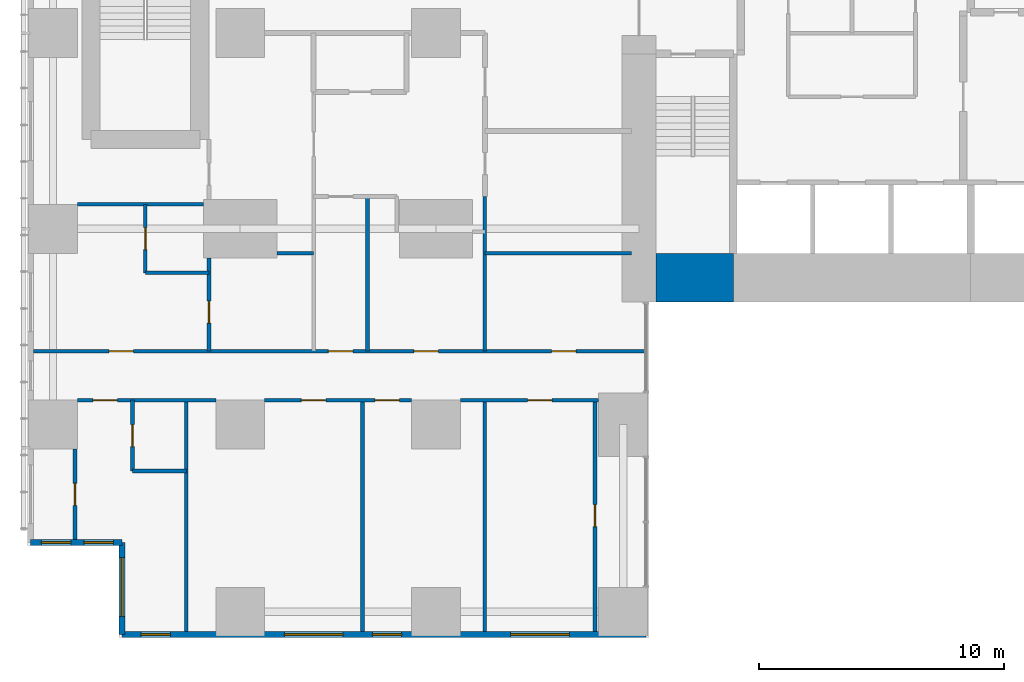
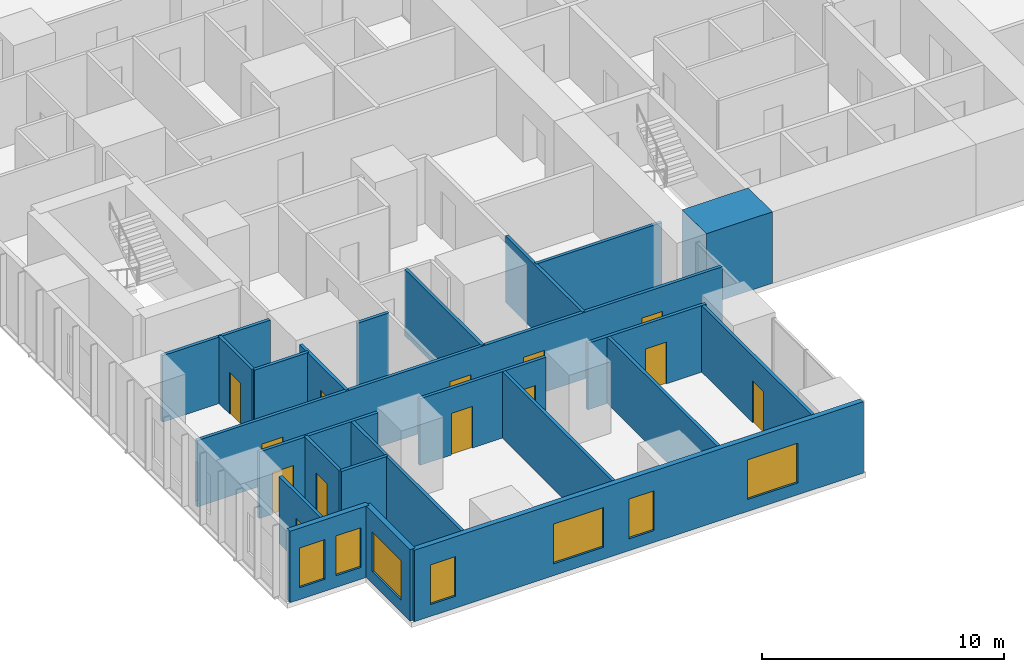
# One storey, part 12 of 20: 23 walls, 13 doors, 7 windows, 20 openings.
"""IFC4 building model written with IfcOpenShell, lengths in metres."""

import ifcopenshell
import ifcopenshell.guid

model = None  # the IFC model being written
_history = None  # IfcOwnerHistory: only IFC2X3 demands one
_inside = {}  # id of a spatial element -> (the spatial element, [elements in it])
_under = {}  # id of a project, library or spatial element -> (it, [spatial elements below it])
_declared = {}  # id of a project -> (the project, [libraries it declares])
_typed = {}  # id of a type object -> (the type object, [elements of that type])
_made_of = {}  # id of a material, layer set ... -> (it, [elements and type objects made of it])


def new_model(schema):
    """Start an empty IFC model of exactly this schema.

    Asked for "IFC4X3", IfcOpenShell would pick the latest addendum, in which some entities
    have other attributes; the version numbers below select the first issue.
    IFC2X3 requires an IfcOwnerHistory on every rooted entity: one is made here for all.
    """
    global model, _history
    if schema == "IFC4X3":
        model = ifcopenshell.file(schema_version=(4, 3, 0, 0))
    else:
        model = ifcopenshell.file(schema=schema)
    _inside.clear()
    _under.clear()
    _declared.clear()
    _typed.clear()
    _made_of.clear()
    _history = None
    if model.schema == "IFC2X3":
        org = make("IfcOrganization", Name="unknown")
        user = make(
            "IfcPersonAndOrganization",
            ThePerson=make("IfcPerson", FamilyName="unknown"),
            TheOrganization=org,
        )
        app = make(
            "IfcApplication",
            ApplicationDeveloper=org,
            Version="unknown",
            ApplicationFullName="unknown",
            ApplicationIdentifier="unknown",
        )
        _history = make(
            "IfcOwnerHistory",
            OwningUser=user,
            OwningApplication=app,
            ChangeAction="ADDED",
            CreationDate=0,
        )
    return model


def make(cls, **values):
    """One entity of the class cls with the attributes given. An attribute that is None is left unset."""
    return model.create_entity(
        cls, **{name: value for name, value in values.items() if value is not None}
    )


def rooted(cls, **values):
    """An entity with a GlobalId (a new one), such as an element, a storey or a relation."""
    return make(cls, GlobalId=ifcopenshell.guid.new(), OwnerHistory=_history, **values)


def si_unit(unit_type, name, prefix=None):
    """IfcSIUnit, for example si_unit("LENGTHUNIT", "METRE", prefix="MILLI")."""
    return make("IfcSIUnit", UnitType=unit_type, Prefix=prefix, Name=name)


def assignment(units):
    """IfcUnitAssignment: the units of a project."""
    return None if units is None else make("IfcUnitAssignment", Units=units)


def point(xyz):
    """IfcCartesianPoint."""
    return None if xyz is None else make("IfcCartesianPoint", Coordinates=xyz)


def direction(xyz):
    """IfcDirection."""
    return None if xyz is None else make("IfcDirection", DirectionRatios=xyz)


def frame(location, z_axis=None, x_axis=None):
    """IfcAxis2Placement3D, a coordinate frame: its origin and axes. An axis left out is left unset."""
    return make(
        "IfcAxis2Placement3D",
        Location=point(location),
        Axis=direction(z_axis),
        RefDirection=direction(x_axis),
    )


def frame_2d(location, x_axis=None):
    """IfcAxis2Placement2D, a coordinate frame in the plane: its origin and x axis."""
    return make(
        "IfcAxis2Placement2D", Location=point(location), RefDirection=direction(x_axis)
    )


def origin():
    """The frame at (0, 0, 0) with its axes left unset."""
    return frame((0.0, 0.0, 0.0))


def place(relative_to, where):
    """IfcLocalPlacement: puts the frame where relative to a parent placement (None: the world)."""
    return make(
        "IfcLocalPlacement", PlacementRelTo=relative_to, RelativePlacement=where
    )


def context(
    kind, dimensions, precision=None, world=None, true_north=None, identifier=None
):
    """IfcGeometricRepresentationContext, for example the 3D "Model" context."""
    return make(
        "IfcGeometricRepresentationContext",
        ContextIdentifier=identifier,
        ContextType=kind,
        CoordinateSpaceDimension=dimensions,
        Precision=precision,
        WorldCoordinateSystem=world,
        TrueNorth=true_north,
    )


def subcontext(parent, identifier, kind, view, scale=None):
    """IfcGeometricRepresentationSubContext, for example "Body" below "Model"."""
    return make(
        "IfcGeometricRepresentationSubContext",
        ContextIdentifier=identifier,
        ContextType=kind,
        ParentContext=parent,
        TargetScale=scale,
        TargetView=view,
    )


def project(units=None, contexts=None):
    """IfcProject with its units and contexts."""
    return rooted(
        "IfcProject",
        Name="project",
        RepresentationContexts=contexts,
        UnitsInContext=assignment(units),
    )


def spatial(cls, under=None, at=None, **own):
    """A site, building, storey or space (cls), placed at a placement, below another one or the project."""
    s = rooted(cls, ObjectPlacement=at, **own)
    if under is not None:
        _under.setdefault(under.id(), (under, []))[1].append(s)
    return s


def profile(cls, at=None, kind="AREA", **sizes):
    """A parametric profile (cls). Its sizes go by their IFC names, for example OverallWidth=200.0."""
    return make(cls, ProfileType=kind, Position=at, **sizes)


def rectangle(**sizes):
    """IfcRectangleProfileDef."""
    return profile("IfcRectangleProfileDef", **sizes)


def extrude(swept, where, along, depth):
    """IfcExtrudedAreaSolid: the profile swept, set in the frame where, extruded along a direction by depth."""
    return make(
        "IfcExtrudedAreaSolid",
        SweptArea=swept,
        Position=where,
        ExtrudedDirection=direction(along),
        Depth=depth,
    )


def shape(context_of_items, identifier, shape_type, items):
    """IfcShapeRepresentation: the items that make up one representation, for example the "Body"."""
    return make(
        "IfcShapeRepresentation",
        ContextOfItems=context_of_items,
        RepresentationIdentifier=identifier,
        RepresentationType=shape_type,
        Items=items,
    )


def material(Name=None, Category=None):
    """IfcMaterial."""
    return make("IfcMaterial", Name=Name, Category=Category)


def layer(
    of_material, thickness, ventilated=None, Name=None, Category=None, Priority=None
):
    """IfcMaterialLayer: one layer of a wall or slab, of a material (None: an air gap)."""
    return make(
        "IfcMaterialLayer",
        Material=of_material,
        LayerThickness=thickness,
        IsVentilated=ventilated,
        Name=Name,
        Category=Category,
        Priority=Priority,
    )


def layer_set(layers, Name=None):
    """IfcMaterialLayerSet."""
    return make("IfcMaterialLayerSet", MaterialLayers=layers, LayerSetName=Name)


def made_of(thing, what):
    """Note that an element or type object is made of a material, layer set ...; save() writes the relation."""
    if what is not None:
        _made_of.setdefault(what.id(), (what, []))[1].append(thing)
    return thing


def type_object(cls, material=None, **own):
    """A type object (cls), such as IfcWallType, which elements share."""
    return made_of(rooted(cls, **own), material)


def element(
    cls,
    number,
    at=None,
    inside=None,
    cuts=None,
    type_object=None,
    material=None,
    context=None,
    identifier="Body",
    shape_type=None,
    held_by="IfcProductDefinitionShape",
    body=None,
    shapes=None,
    **own,
):
    """One element of the class cls, such as IfcWall. Its Tag is "e" and its number.

    at: its placement. inside: the storey or other place that contains it. cuts: it is an
    opening in that element (IfcRelVoidsElement). A single representation is given by context,
    identifier, shape_type and body (its items); several are given by shapes. held_by: the class
    of the entity that holds the representations. save() writes the other relations.
    """
    e = rooted(cls, Tag="e%d" % number, ObjectPlacement=at, **own)
    if body is not None:
        shapes = [shape(context, identifier, shape_type, body)]
    if shapes is not None:
        e.Representation = make(held_by, Representations=shapes)
    if inside is not None:
        _inside.setdefault(inside.id(), (inside, []))[1].append(e)
    if cuts is not None:
        rooted(
            "IfcRelVoidsElement", RelatingBuildingElement=cuts, RelatedOpeningElement=e
        )
    if type_object is not None:
        _typed.setdefault(type_object.id(), (type_object, []))[1].append(e)
    return made_of(e, material)


def fill(opening, filler):
    """IfcRelFillsElement: the door or window that sits in an opening."""
    return rooted(
        "IfcRelFillsElement",
        RelatingOpeningElement=opening,
        RelatedBuildingElement=filler,
    )


def aggregate(whole, parts):
    """IfcRelAggregates: a whole, such as a stair, and the parts it consists of."""
    return rooted("IfcRelAggregates", RelatingObject=whole, RelatedObjects=parts)


def save(model, path):
    """Write the relations noted so far, then the file.

    IfcRelAggregates (storeys below a building ...), IfcRelContainedInSpatialStructure (elements
    in a storey), IfcRelDefinesByType, IfcRelAssociatesMaterial and IfcRelDeclares: one each for
    every whole, place, type object, material and project.
    """
    for whole, parts in _under.values():
        aggregate(whole, parts)
    for where, things in _inside.values():
        rooted(
            "IfcRelContainedInSpatialStructure",
            RelatedElements=things,
            RelatingStructure=where,
        )
    for kind, things in _typed.values():
        rooted("IfcRelDefinesByType", RelatedObjects=things, RelatingType=kind)
    for what, things in _made_of.values():
        rooted("IfcRelAssociatesMaterial", RelatedObjects=things, RelatingMaterial=what)
    for by, libraries in _declared.values():
        rooted("IfcRelDeclares", RelatingContext=by, RelatedDefinitions=libraries)
    model.write(path)


model = new_model("IFC4")

# Units and contexts
model_context = context("Model", 3, precision=1e-05, world=origin(), true_north=direction((0.0, 1.0)))
body_context = subcontext(model_context, "Body", "Model", "MODEL_VIEW")
ifc_project = project(units=[si_unit("LENGTHUNIT", "METRE"), si_unit("AREAUNIT", "SQUARE_METRE"), si_unit("VOLUMEUNIT", "CUBIC_METRE"), si_unit("PLANEANGLEUNIT", "RADIAN"), si_unit("MASSUNIT", "GRAM", prefix="KILO")], contexts=[model_context])

# Site, building, storey
site_placement = place(None, origin())
site = spatial("IfcSite", under=ifc_project, at=site_placement, CompositionType="ELEMENT")
building_placement = place(site_placement, origin())
building = spatial("IfcBuilding", under=site, at=building_placement, Name="Cleftline Residences", CompositionType="ELEMENT")
storey_placement = place(building_placement, frame((0.0, 0.0, 76.39990234375)))
storey = spatial("IfcBuildingStorey", under=building, at=storey_placement, Name="L19", CompositionType="ELEMENT", Elevation=76.39990234375)

# Wall
ifc_material_1 = material(Name="Concrete B70", Category="concrete")
ifc_layer_1 = layer(ifc_material_1, 2.0)
ifc_layer_set_1 = layer_set([ifc_layer_1], Name="CORE WALL 2000")
wall_type_1 = type_object("IfcWallType", Name="CORE WALL 2000", PredefinedType="SHEAR", material=ifc_layer_set_1)
wall_1_placement = place(storey_placement, frame((25.0, 14.0, 0.0), z_axis=(0.0, 0.0, 1.0), x_axis=(1.0, 0.0, 0.0)))
element("IfcWall", 1, at=wall_1_placement, inside=storey, type_object=wall_type_1, Name="Core wall S1", PredefinedType="SHEAR", context=body_context, shape_type="SweptSolid", body=[
    extrude(rectangle(XDim=3.14990234375, YDim=2.0, at=frame_2d((1.574951171875, 0.0))), origin(), (0.0, 0.0, 1.0), 3.60009765625),
])

# Wall, openings, windows
ifc_material_2 = material(Name="Rendered reinforced concrete blockwork", Category="masonry")
ifc_layer_2 = layer(ifc_material_2, 0.25)
ifc_layer_set_2 = layer_set([ifc_layer_2], Name="EXTERNAL WALL 250")
wall_type_2 = type_object("IfcWallType", Name="EXTERNAL WALL 250", PredefinedType="SOLIDWALL", material=ifc_layer_set_2)
wall_2_placement = place(storey_placement, frame((-0.574951171875, 3.175048828125, 0.0), z_axis=(0.0, 0.0, 1.0), x_axis=(1.0, 0.0, 0.0)))
wall_2 = element("IfcWall", 2, at=wall_2_placement, inside=storey, type_object=wall_type_2, Name="External wall", PredefinedType="SOLIDWALL", context=body_context, shape_type="SweptSolid", body=[
    extrude(rectangle(XDim=3.75, YDim=0.25, at=frame_2d((1.875, 0.0))), origin(), (0.0, 0.0, 1.0), 3.60009765625),
])
opening_1_placement = place(wall_2_placement, frame((0.449951171875, 0.0, 0.60009765625)))
opening_1 = element("IfcOpeningElement", 3, at=opening_1_placement, cuts=wall_2, Name="Opening W8", PredefinedType="OPENING", context=body_context, shape_type="SweptSolid", body=[
    extrude(rectangle(XDim=1.199951171875, YDim=2.0, at=frame_2d((0.60009765625, 1.0))), frame((0.0, 0.135009765625, 0.0), z_axis=(0.0, -1.0, 0.0), x_axis=(1.0, 0.0, 0.0)), (0.0, 0.0, 1.0), 0.27001953125),
])
opening_2_placement = place(wall_2_placement, frame((2.1875, 0.0, 0.60009765625)))
opening_2 = element("IfcOpeningElement", 4, at=opening_2_placement, cuts=wall_2, Name="Opening W8", PredefinedType="OPENING", context=body_context, shape_type="SweptSolid", body=[
    extrude(rectangle(XDim=1.199951171875, YDim=2.0, at=frame_2d((0.60009765625, 1.0))), frame((0.0, 0.135009765625, 0.0), z_axis=(0.0, -1.0, 0.0), x_axis=(1.0, 0.0, 0.0)), (0.0, 0.0, 1.0), 0.27001953125),
])
ifc_material_3 = material(Name="Aluminium frame, clear double glazing", Category="aluminium")
window_type_1 = type_object("IfcWindowType", Name="WINDOW 1200X2000", PartitioningType="DOUBLE_PANEL_VERTICAL", PredefinedType="WINDOW", material=ifc_material_3)
window_1_placement = place(opening_1_placement, origin())
window_1 = element("IfcWindow", 5, at=window_1_placement, inside=storey, type_object=window_type_1, Name="Window", OverallHeight=2.0, OverallWidth=1.199951171875, PartitioningType="SINGLE_PANEL", PredefinedType="WINDOW", context=body_context, shape_type="SweptSolid", body=[
    extrude(rectangle(XDim=1.199951171875, YDim=2.0, at=frame_2d((0.60009765625, 1.0))), frame((0.0, 0.030029296875, 0.0), z_axis=(0.0, -1.0, 0.0), x_axis=(1.0, 0.0, 0.0)), (0.0, 0.0, 1.0), 0.06005859375),
])
fill(opening_1, window_1)
window_2_placement = place(opening_2_placement, origin())
window_2 = element("IfcWindow", 6, at=window_2_placement, inside=storey, type_object=window_type_1, Name="Window", OverallHeight=2.0, OverallWidth=1.199951171875, PartitioningType="SINGLE_PANEL", PredefinedType="WINDOW", context=body_context, shape_type="SweptSolid", body=[
    extrude(rectangle(XDim=1.199951171875, YDim=2.0, at=frame_2d((0.60009765625, 1.0))), frame((0.0, 0.030029296875, 0.0), z_axis=(0.0, -1.0, 0.0), x_axis=(1.0, 0.0, 0.0)), (0.0, 0.0, 1.0), 0.06005859375),
])
fill(opening_2, window_2)

# Wall, opening, window
wall_3_placement = place(storey_placement, frame((3.175048828125, 3.175048828125, 0.0), z_axis=(0.0, 0.0, 1.0), x_axis=(0.0, -1.0, 0.0)))
wall_3 = element("IfcWall", 7, at=wall_3_placement, inside=storey, type_object=wall_type_2, Name="External wall", PredefinedType="SOLIDWALL", context=body_context, shape_type="SweptSolid", body=[
    extrude(rectangle(XDim=3.75, YDim=0.25, at=frame_2d((1.875, 0.0))), origin(), (0.0, 0.0, 1.0), 3.60009765625),
])
opening_3_placement = place(wall_3_placement, frame((0.612548828125, 0.0, 0.60009765625)))
opening_3 = element("IfcOpeningElement", 8, at=opening_3_placement, cuts=wall_3, Name="Opening W6", PredefinedType="OPENING", context=body_context, shape_type="SweptSolid", body=[
    extrude(rectangle(XDim=2.39990234375, YDim=2.0, at=frame_2d((1.199951171875, 1.0))), frame((0.0, 0.135009765625, 0.0), z_axis=(0.0, -1.0, 0.0), x_axis=(1.0, 0.0, 0.0)), (0.0, 0.0, 1.0), 0.27001953125),
])
ifc_material_4 = material(Name="Aluminium frame, clear double glazing", Category="aluminium")
window_type_2 = type_object("IfcWindowType", Name="WINDOW 2400X2000", PartitioningType="DOUBLE_PANEL_VERTICAL", PredefinedType="WINDOW", material=ifc_material_4)
window_3_placement = place(opening_3_placement, origin())
window_3 = element("IfcWindow", 9, at=window_3_placement, inside=storey, type_object=window_type_2, Name="Window", OverallHeight=2.0, OverallWidth=2.39990234375, PartitioningType="SINGLE_PANEL", PredefinedType="WINDOW", context=body_context, shape_type="SweptSolid", body=[
    extrude(rectangle(XDim=2.39990234375, YDim=2.0, at=frame_2d((1.199951171875, 1.0))), frame((0.0, 0.030029296875, 0.0), z_axis=(0.0, -1.0, 0.0), x_axis=(1.0, 0.0, 0.0)), (0.0, 0.0, 1.0), 0.06005859375),
])
fill(opening_3, window_3)

# Wall, openings, windows
wall_4_placement = place(storey_placement, frame((3.175048828125, -0.574951171875, 0.0), z_axis=(0.0, 0.0, 1.0), x_axis=(1.0, 0.0, 0.0)))
wall_4 = element("IfcWall", 10, at=wall_4_placement, inside=storey, type_object=wall_type_2, Name="External wall", PredefinedType="SOLIDWALL", context=body_context, shape_type="SweptSolid", body=[
    extrude(rectangle(XDim=21.39990234375, YDim=0.25, at=frame_2d((10.699951171875, 0.0))), origin(), (0.0, 0.0, 1.0), 3.60009765625),
])
opening_4_placement = place(wall_4_placement, frame((0.77490234375, 0.0, 0.60009765625)))
opening_4 = element("IfcOpeningElement", 11, at=opening_4_placement, cuts=wall_4, Name="Opening W8", PredefinedType="OPENING", context=body_context, shape_type="SweptSolid", body=[
    extrude(rectangle(XDim=1.199951171875, YDim=2.0, at=frame_2d((0.60009765625, 1.0))), frame((0.0, 0.135009765625, 0.0), z_axis=(0.0, -1.0, 0.0), x_axis=(1.0, 0.0, 0.0)), (0.0, 0.0, 1.0), 0.27001953125),
])
opening_5_placement = place(wall_4_placement, frame((6.625, 0.0, 0.60009765625)))
opening_5 = element("IfcOpeningElement", 12, at=opening_5_placement, cuts=wall_4, Name="Opening W6", PredefinedType="OPENING", context=body_context, shape_type="SweptSolid", body=[
    extrude(rectangle(XDim=2.39990234375, YDim=2.0, at=frame_2d((1.199951171875, 1.0))), frame((0.0, 0.135009765625, 0.0), z_axis=(0.0, -1.0, 0.0), x_axis=(1.0, 0.0, 0.0)), (0.0, 0.0, 1.0), 0.27001953125),
])
opening_6_placement = place(wall_4_placement, frame((10.22509765625, 0.0, 0.60009765625)))
opening_6 = element("IfcOpeningElement", 13, at=opening_6_placement, cuts=wall_4, Name="Opening W8", PredefinedType="OPENING", context=body_context, shape_type="SweptSolid", body=[
    extrude(rectangle(XDim=1.199951171875, YDim=2.0, at=frame_2d((0.60009765625, 1.0))), frame((0.0, 0.135009765625, 0.0), z_axis=(0.0, -1.0, 0.0), x_axis=(1.0, 0.0, 0.0)), (0.0, 0.0, 1.0), 0.27001953125),
])
opening_7_placement = place(wall_4_placement, frame((15.875, 0.0, 0.60009765625)))
opening_7 = element("IfcOpeningElement", 14, at=opening_7_placement, cuts=wall_4, Name="Opening W6", PredefinedType="OPENING", context=body_context, shape_type="SweptSolid", body=[
    extrude(rectangle(XDim=2.39990234375, YDim=2.0, at=frame_2d((1.199951171875, 1.0))), frame((0.0, 0.135009765625, 0.0), z_axis=(0.0, -1.0, 0.0), x_axis=(1.0, 0.0, 0.0)), (0.0, 0.0, 1.0), 0.27001953125),
])
window_4_placement = place(opening_4_placement, origin())
window_4 = element("IfcWindow", 15, at=window_4_placement, inside=storey, type_object=window_type_1, Name="Window", OverallHeight=2.0, OverallWidth=1.199951171875, PartitioningType="SINGLE_PANEL", PredefinedType="WINDOW", context=body_context, shape_type="SweptSolid", body=[
    extrude(rectangle(XDim=1.199951171875, YDim=2.0, at=frame_2d((0.60009765625, 1.0))), frame((0.0, 0.030029296875, 0.0), z_axis=(0.0, -1.0, 0.0), x_axis=(1.0, 0.0, 0.0)), (0.0, 0.0, 1.0), 0.06005859375),
])
fill(opening_4, window_4)
window_5_placement = place(opening_6_placement, origin())
window_5 = element("IfcWindow", 16, at=window_5_placement, inside=storey, type_object=window_type_1, Name="Window", OverallHeight=2.0, OverallWidth=1.199951171875, PartitioningType="SINGLE_PANEL", PredefinedType="WINDOW", context=body_context, shape_type="SweptSolid", body=[
    extrude(rectangle(XDim=1.199951171875, YDim=2.0, at=frame_2d((0.60009765625, 1.0))), frame((0.0, 0.030029296875, 0.0), z_axis=(0.0, -1.0, 0.0), x_axis=(1.0, 0.0, 0.0)), (0.0, 0.0, 1.0), 0.06005859375),
])
fill(opening_6, window_5)
window_6_placement = place(opening_5_placement, origin())
window_6 = element("IfcWindow", 17, at=window_6_placement, inside=storey, type_object=window_type_2, Name="Window", OverallHeight=2.0, OverallWidth=2.39990234375, PartitioningType="SINGLE_PANEL", PredefinedType="WINDOW", context=body_context, shape_type="SweptSolid", body=[
    extrude(rectangle(XDim=2.39990234375, YDim=2.0, at=frame_2d((1.199951171875, 1.0))), frame((0.0, 0.030029296875, 0.0), z_axis=(0.0, -1.0, 0.0), x_axis=(1.0, 0.0, 0.0)), (0.0, 0.0, 1.0), 0.06005859375),
])
fill(opening_5, window_6)
window_7_placement = place(opening_7_placement, origin())
window_7 = element("IfcWindow", 18, at=window_7_placement, inside=storey, type_object=window_type_2, Name="Window", OverallHeight=2.0, OverallWidth=2.39990234375, PartitioningType="SINGLE_PANEL", PredefinedType="WINDOW", context=body_context, shape_type="SweptSolid", body=[
    extrude(rectangle(XDim=2.39990234375, YDim=2.0, at=frame_2d((1.199951171875, 1.0))), frame((0.0, 0.030029296875, 0.0), z_axis=(0.0, -1.0, 0.0), x_axis=(1.0, 0.0, 0.0)), (0.0, 0.0, 1.0), 0.06005859375),
])
fill(opening_7, window_7)

# Wall
ifc_material_5 = material(Name="Gypsum board on steel studs", Category="steel")
ifc_layer_3 = layer(ifc_material_5, 0.14990234375)
ifc_layer_set_3 = layer_set([ifc_layer_3], Name="PARTITION 150")
wall_type_3 = type_object("IfcWallType", Name="PARTITION 150", PredefinedType="PARTITIONING", material=ifc_layer_set_3)
wall_5_placement = place(storey_placement, frame((3.60009765625, 6.10009765625, 0.0), z_axis=(0.0, 0.0, 1.0), x_axis=(1.0, 0.0, 0.0)))
element("IfcWall", 19, at=wall_5_placement, inside=storey, type_object=wall_type_3, Name="Partition", PredefinedType="PARTITIONING", context=body_context, shape_type="SweptSolid", body=[
    extrude(rectangle(XDim=2.199951171875, YDim=0.14990234375, at=frame_2d((1.10009765625, 0.0))), origin(), (0.0, 0.0, 1.0), 3.35009765625),
])

# Wall, opening, door
wall_6_placement = place(storey_placement, frame((1.35009765625, 9.0, 0.0), z_axis=(0.0, 0.0, 1.0), x_axis=(1.0, 0.0, 0.0)))
wall_6 = element("IfcWall", 20, at=wall_6_placement, inside=storey, type_object=wall_type_3, Name="Partition", PredefinedType="PARTITIONING", context=body_context, shape_type="SweptSolid", body=[
    extrude(rectangle(XDim=5.64990234375, YDim=0.14990234375, at=frame_2d((2.824951171875, 0.0))), origin(), (0.0, 0.0, 1.0), 3.35009765625),
])
opening_8_placement = place(wall_6_placement, frame((0.625, 0.0, 0.0)))
opening_8 = element("IfcOpeningElement", 21, at=opening_8_placement, cuts=wall_6, Name="Opening D2", PredefinedType="OPENING", context=body_context, shape_type="SweptSolid", body=[
    extrude(rectangle(XDim=1.0, YDim=2.10009765625, at=frame_2d((0.5, 1.050048828125))), frame((0.0, 0.0849609375, 0.0), z_axis=(0.0, -1.0, 0.0), x_axis=(1.0, 0.0, 0.0)), (0.0, 0.0, 1.0), 0.169921875),
])
ifc_material_6 = material(Name="Timber veneer on solid core", Category="wood")
door_type_1 = type_object("IfcDoorType", Name="DOOR 1000X2100", OperationType="SINGLE_SWING_LEFT", PredefinedType="DOOR", material=ifc_material_6)
door_1_placement = place(opening_8_placement, origin())
door_1 = element("IfcDoor", 22, at=door_1_placement, inside=storey, type_object=door_type_1, Name="Door to bedroom 2", OperationType="SINGLE_SWING_RIGHT", OverallHeight=2.10009765625, OverallWidth=1.0, PredefinedType="DOOR", context=body_context, shape_type="SweptSolid", body=[
    extrude(rectangle(XDim=1.0, YDim=2.10009765625, at=frame_2d((0.5, 1.050048828125))), frame((0.0, 0.02490234375, 0.0), z_axis=(0.0, -1.0, 0.0), x_axis=(1.0, 0.0, 0.0)), (0.0, 0.0, 1.0), 0.050048828125),
])
fill(opening_8, door_1)

# Wall, openings, doors
wall_7_placement = place(storey_placement, frame((9.0, 9.0, 0.0), z_axis=(0.0, 0.0, 1.0), x_axis=(1.0, 0.0, 0.0)))
wall_7 = element("IfcWall", 23, at=wall_7_placement, inside=storey, type_object=wall_type_3, Name="Partition", PredefinedType="PARTITIONING", context=body_context, shape_type="SweptSolid", body=[
    extrude(rectangle(XDim=6.0, YDim=0.14990234375, at=frame_2d((3.0, 0.0))), origin(), (0.0, 0.0, 1.0), 3.35009765625),
])
opening_9_placement = place(wall_7_placement, frame((1.5, 0.0, 0.0)))
opening_9 = element("IfcOpeningElement", 24, at=opening_9_placement, cuts=wall_7, Name="Opening D2", PredefinedType="OPENING", context=body_context, shape_type="SweptSolid", body=[
    extrude(rectangle(XDim=1.0, YDim=2.10009765625, at=frame_2d((0.5, 1.050048828125))), frame((0.0, 0.0849609375, 0.0), z_axis=(0.0, -1.0, 0.0), x_axis=(1.0, 0.0, 0.0)), (0.0, 0.0, 1.0), 0.169921875),
])
opening_10_placement = place(wall_7_placement, frame((4.5, 0.0, 0.0)))
opening_10 = element("IfcOpeningElement", 25, at=opening_10_placement, cuts=wall_7, Name="Opening D2", PredefinedType="OPENING", context=body_context, shape_type="SweptSolid", body=[
    extrude(rectangle(XDim=1.0, YDim=2.10009765625, at=frame_2d((0.5, 1.050048828125))), frame((0.0, 0.0849609375, 0.0), z_axis=(0.0, -1.0, 0.0), x_axis=(1.0, 0.0, 0.0)), (0.0, 0.0, 1.0), 0.169921875),
])
door_2_placement = place(opening_9_placement, origin())
door_2 = element("IfcDoor", 26, at=door_2_placement, inside=storey, type_object=door_type_1, Name="Door to living room", OperationType="SINGLE_SWING_RIGHT", OverallHeight=2.10009765625, OverallWidth=1.0, PredefinedType="DOOR", context=body_context, shape_type="SweptSolid", body=[
    extrude(rectangle(XDim=1.0, YDim=2.10009765625, at=frame_2d((0.5, 1.050048828125))), frame((0.0, 0.02490234375, 0.0), z_axis=(0.0, -1.0, 0.0), x_axis=(1.0, 0.0, 0.0)), (0.0, 0.0, 1.0), 0.050048828125),
])
fill(opening_9, door_2)
door_3_placement = place(opening_10_placement, origin())
door_3 = element("IfcDoor", 27, at=door_3_placement, inside=storey, type_object=door_type_1, Name="Door to dining room", OperationType="SINGLE_SWING_LEFT", OverallHeight=2.10009765625, OverallWidth=1.0, PredefinedType="DOOR", context=body_context, shape_type="SweptSolid", body=[
    extrude(rectangle(XDim=1.0, YDim=2.10009765625, at=frame_2d((0.5, 1.050048828125))), frame((0.0, 0.02490234375, 0.0), z_axis=(0.0, -1.0, 0.0), x_axis=(1.0, 0.0, 0.0)), (0.0, 0.0, 1.0), 0.050048828125),
])
fill(opening_10, door_3)

# Wall, opening, door
wall_8_placement = place(storey_placement, frame((17.0, 9.0, 0.0), z_axis=(0.0, 0.0, 1.0), x_axis=(1.0, 0.0, 0.0)))
wall_8 = element("IfcWall", 28, at=wall_8_placement, inside=storey, type_object=wall_type_3, Name="Partition", PredefinedType="PARTITIONING", context=body_context, shape_type="SweptSolid", body=[
    extrude(rectangle(XDim=5.64990234375, YDim=0.14990234375, at=frame_2d((2.824951171875, 0.0))), origin(), (0.0, 0.0, 1.0), 3.35009765625),
])
opening_11_placement = place(wall_8_placement, frame((2.75, 0.0, 0.0)))
opening_11 = element("IfcOpeningElement", 29, at=opening_11_placement, cuts=wall_8, Name="Opening D2", PredefinedType="OPENING", context=body_context, shape_type="SweptSolid", body=[
    extrude(rectangle(XDim=1.0, YDim=2.10009765625, at=frame_2d((0.5, 1.050048828125))), frame((0.0, 0.0849609375, 0.0), z_axis=(0.0, -1.0, 0.0), x_axis=(1.0, 0.0, 0.0)), (0.0, 0.0, 1.0), 0.169921875),
])
door_4_placement = place(opening_11_placement, origin())
door_4 = element("IfcDoor", 30, at=door_4_placement, inside=storey, type_object=door_type_1, Name="Door to show kitchen", OperationType="SINGLE_SWING_LEFT", OverallHeight=2.10009765625, OverallWidth=1.0, PredefinedType="DOOR", context=body_context, shape_type="SweptSolid", body=[
    extrude(rectangle(XDim=1.0, YDim=2.10009765625, at=frame_2d((0.5, 1.050048828125))), frame((0.0, 0.02490234375, 0.0), z_axis=(0.0, -1.0, 0.0), x_axis=(1.0, 0.0, 0.0)), (0.0, 0.0, 1.0), 0.050048828125),
])
fill(opening_11, door_4)

# Wall, openings, doors
wall_9_placement = place(storey_placement, frame((-0.449951171875, 11.0, 0.0), z_axis=(0.0, 0.0, 1.0), x_axis=(1.0, 0.0, 0.0)))
wall_9 = element("IfcWall", 31, at=wall_9_placement, inside=storey, type_object=wall_type_3, Name="Partition", PredefinedType="PARTITIONING", context=body_context, shape_type="SweptSolid", body=[
    extrude(rectangle(XDim=25.010986328125, YDim=0.14990234375, at=frame_2d((12.50537109375, 0.0))), origin(), (0.0, 0.0, 1.0), 3.35009765625),
])
opening_12_placement = place(wall_9_placement, frame((12.050048828125, 0.0, 0.0)))
opening_12 = element("IfcOpeningElement", 32, at=opening_12_placement, cuts=wall_9, Name="Opening D2F30", PredefinedType="OPENING", context=body_context, shape_type="SweptSolid", body=[
    extrude(rectangle(XDim=1.0, YDim=2.10009765625, at=frame_2d((0.5, 1.050048828125))), frame((0.0, 0.0849609375, 0.0), z_axis=(0.0, -1.0, 0.0), x_axis=(1.0, 0.0, 0.0)), (0.0, 0.0, 1.0), 0.169921875),
])
opening_13_placement = place(wall_9_placement, frame((3.08740234375, 0.0, 0.0)))
opening_13 = element("IfcOpeningElement", 33, at=opening_13_placement, cuts=wall_9, Name="Opening D2F30", PredefinedType="OPENING", context=body_context, shape_type="SweptSolid", body=[
    extrude(rectangle(XDim=1.0, YDim=2.10009765625, at=frame_2d((0.5, 1.050048828125))), frame((0.0, 0.0849609375, 0.0), z_axis=(0.0, -1.0, 0.0), x_axis=(1.0, 0.0, 0.0)), (0.0, 0.0, 1.0), 0.169921875),
])
opening_14_placement = place(wall_9_placement, frame((15.550048828125, 0.0, 0.0)))
opening_14 = element("IfcOpeningElement", 34, at=opening_14_placement, cuts=wall_9, Name="Opening D2F30", PredefinedType="OPENING", context=body_context, shape_type="SweptSolid", body=[
    extrude(rectangle(XDim=1.0, YDim=2.10009765625, at=frame_2d((0.5, 1.050048828125))), frame((0.0, 0.0849609375, 0.0), z_axis=(0.0, -1.0, 0.0), x_axis=(1.0, 0.0, 0.0)), (0.0, 0.0, 1.0), 0.169921875),
])
opening_15_placement = place(wall_9_placement, frame((21.175048828125, 0.0, 0.0)))
opening_15 = element("IfcOpeningElement", 35, at=opening_15_placement, cuts=wall_9, Name="Opening D2F30", PredefinedType="OPENING", context=body_context, shape_type="SweptSolid", body=[
    extrude(rectangle(XDim=1.0, YDim=2.10009765625, at=frame_2d((0.5, 1.050048828125))), frame((0.0, 0.0849609375, 0.0), z_axis=(0.0, -1.0, 0.0), x_axis=(1.0, 0.0, 0.0)), (0.0, 0.0, 1.0), 0.169921875),
])
ifc_material_7 = material(Name="Timber veneer on solid core", Category="wood")
door_type_2 = type_object("IfcDoorType", Name="DOOR 1000X2100 EI 30", OperationType="SINGLE_SWING_LEFT", PredefinedType="DOOR", material=ifc_material_7)
door_5_placement = place(opening_12_placement, origin())
door_5 = element("IfcDoor", 36, at=door_5_placement, inside=storey, type_object=door_type_2, Name="Door to residence hall (gallery)", OperationType="SINGLE_SWING_LEFT", OverallHeight=2.10009765625, OverallWidth=1.0, PredefinedType="DOOR", context=body_context, shape_type="SweptSolid", body=[
    extrude(rectangle(XDim=1.0, YDim=2.10009765625, at=frame_2d((0.5, 1.050048828125))), frame((0.0, 0.02490234375, 0.0), z_axis=(0.0, -1.0, 0.0), x_axis=(1.0, 0.0, 0.0)), (0.0, 0.0, 1.0), 0.050048828125),
])
fill(opening_12, door_5)
door_6_placement = place(opening_13_placement, origin())
door_6 = element("IfcDoor", 37, at=door_6_placement, inside=storey, type_object=door_type_2, Name="Door to master bedroom", OperationType="SINGLE_SWING_RIGHT", OverallHeight=2.10009765625, OverallWidth=1.0, PredefinedType="DOOR", context=body_context, shape_type="SweptSolid", body=[
    extrude(rectangle(XDim=1.0, YDim=2.10009765625, at=frame_2d((0.5, 1.050048828125))), frame((0.0, 0.02490234375, 0.0), z_axis=(0.0, -1.0, 0.0), x_axis=(1.0, 0.0, 0.0)), (0.0, 0.0, 1.0), 0.050048828125),
])
fill(opening_13, door_6)
door_7_placement = place(opening_14_placement, origin())
door_7 = element("IfcDoor", 38, at=door_7_placement, inside=storey, type_object=door_type_2, Name="Door to study", OperationType="SINGLE_SWING_LEFT", OverallHeight=2.10009765625, OverallWidth=1.0, PredefinedType="DOOR", context=body_context, shape_type="SweptSolid", body=[
    extrude(rectangle(XDim=1.0, YDim=2.10009765625, at=frame_2d((0.5, 1.050048828125))), frame((0.0, 0.02490234375, 0.0), z_axis=(0.0, -1.0, 0.0), x_axis=(1.0, 0.0, 0.0)), (0.0, 0.0, 1.0), 0.050048828125),
])
fill(opening_14, door_7)
door_8_placement = place(opening_15_placement, origin())
door_8 = element("IfcDoor", 39, at=door_8_placement, inside=storey, type_object=door_type_2, Name="Door to wet kitchen", OperationType="SINGLE_SWING_LEFT", OverallHeight=2.10009765625, OverallWidth=1.0, PredefinedType="DOOR", context=body_context, shape_type="SweptSolid", body=[
    extrude(rectangle(XDim=1.0, YDim=2.10009765625, at=frame_2d((0.5, 1.050048828125))), frame((0.0, 0.02490234375, 0.0), z_axis=(0.0, -1.0, 0.0), x_axis=(1.0, 0.0, 0.0)), (0.0, 0.0, 1.0), 0.050048828125),
])
fill(opening_15, door_8)

# Walls
wall_10_placement = place(storey_placement, frame((4.125, 14.199951171875, 0.0), z_axis=(0.0, 0.0, 1.0), x_axis=(1.0, 0.0, 0.0)))
element("IfcWall", 40, at=wall_10_placement, inside=storey, type_object=wall_type_3, Name="Partition", PredefinedType="PARTITIONING", context=body_context, shape_type="SweptSolid", body=[
    extrude(rectangle(XDim=2.60009765625, YDim=0.14990234375, at=frame_2d((1.300048828125, 0.0))), origin(), (0.0, 0.0, 1.0), 3.35009765625),
])
wall_11_placement = place(storey_placement, frame((9.5, 15.0, 0.0), z_axis=(0.0, 0.0, 1.0), x_axis=(1.0, 0.0, 0.0)))
element("IfcWall", 41, at=wall_11_placement, inside=storey, type_object=wall_type_3, Name="Partition", PredefinedType="PARTITIONING", context=body_context, shape_type="SweptSolid", body=[
    extrude(rectangle(XDim=1.5, YDim=0.14990234375, at=frame_2d((0.75, 0.0))), origin(), (0.0, 0.0, 1.0), 3.35009765625),
])
wall_12_placement = place(storey_placement, frame((18.0, 15.0, 0.0), z_axis=(0.0, 0.0, 1.0), x_axis=(1.0, 0.0, 0.0)))
element("IfcWall", 42, at=wall_12_placement, inside=storey, type_object=wall_type_3, Name="Partition", PredefinedType="PARTITIONING", context=body_context, shape_type="SweptSolid", body=[
    extrude(rectangle(XDim=6.0, YDim=0.14990234375, at=frame_2d((3.0, 0.0))), origin(), (0.0, 0.0, 1.0), 3.35009765625),
])
wall_13_placement = place(storey_placement, frame((1.35009765625, 17.0, 0.0), z_axis=(0.0, 0.0, 1.0), x_axis=(1.0, 0.0, 0.0)))
element("IfcWall", 43, at=wall_13_placement, inside=storey, type_object=wall_type_3, Name="Partition", PredefinedType="PARTITIONING", context=body_context, shape_type="SweptSolid", body=[
    extrude(rectangle(XDim=5.14990234375, YDim=0.14990234375, at=frame_2d((2.574951171875, 0.0))), origin(), (0.0, 0.0, 1.0), 3.35009765625),
])

# Wall, opening, door
wall_14_placement = place(storey_placement, frame((1.25, 3.300048828125, 0.0), z_axis=(0.0, 0.0, 1.0), x_axis=(0.0, 1.0, 0.0)))
wall_14 = element("IfcWall", 44, at=wall_14_placement, inside=storey, type_object=wall_type_3, Name="Partition", PredefinedType="PARTITIONING", context=body_context, shape_type="SweptSolid", body=[
    extrude(rectangle(XDim=3.699951171875, YDim=0.14990234375, at=frame_2d((1.85009765625, 0.0))), origin(), (0.0, 0.0, 1.0), 3.35009765625),
])
opening_16_placement = place(wall_14_placement, frame((1.39990234375, 0.0, 0.0)))
opening_16 = element("IfcOpeningElement", 45, at=opening_16_placement, cuts=wall_14, Name="Opening D1", PredefinedType="OPENING", context=body_context, shape_type="SweptSolid", body=[
    extrude(rectangle(XDim=0.89990234375, YDim=2.10009765625, at=frame_2d((0.449951171875, 1.050048828125))), frame((0.0, 0.0849609375, 0.0), z_axis=(0.0, -1.0, 0.0), x_axis=(1.0, 0.0, 0.0)), (0.0, 0.0, 1.0), 0.169921875),
])
ifc_material_8 = material(Name="Timber veneer on solid core", Category="wood")
door_type_3 = type_object("IfcDoorType", Name="DOOR 900X2100", OperationType="SINGLE_SWING_LEFT", PredefinedType="DOOR", material=ifc_material_8)
door_9_placement = place(opening_16_placement, origin())
door_9 = element("IfcDoor", 46, at=door_9_placement, inside=storey, type_object=door_type_3, Name="Door to walk-in wardrobe", OperationType="SINGLE_SWING_LEFT", OverallHeight=2.10009765625, OverallWidth=0.89990234375, PredefinedType="DOOR", context=body_context, shape_type="SweptSolid", body=[
    extrude(rectangle(XDim=0.89990234375, YDim=2.10009765625, at=frame_2d((0.449951171875, 1.050048828125))), frame((0.0, 0.02490234375, 0.0), z_axis=(0.0, -1.0, 0.0), x_axis=(1.0, 0.0, 0.0)), (0.0, 0.0, 1.0), 0.050048828125),
])
fill(opening_16, door_9)

wall_15_placement = place(storey_placement, frame((3.60009765625, 6.10009765625, 0.0), z_axis=(0.0, 0.0, 1.0), x_axis=(0.0, 1.0, 0.0)))
wall_15 = element("IfcWall", 47, at=wall_15_placement, inside=storey, type_object=wall_type_3, Name="Partition", PredefinedType="PARTITIONING", context=body_context, shape_type="SweptSolid", body=[
    extrude(rectangle(XDim=2.89990234375, YDim=0.14990234375, at=frame_2d((1.449951171875, 0.0))), origin(), (0.0, 0.0, 1.0), 3.35009765625),
])
opening_17_placement = place(wall_15_placement, frame((1.0, 0.0, 0.0)))
opening_17 = element("IfcOpeningElement", 48, at=opening_17_placement, cuts=wall_15, Name="Opening D1", PredefinedType="OPENING", context=body_context, shape_type="SweptSolid", body=[
    extrude(rectangle(XDim=0.89990234375, YDim=2.10009765625, at=frame_2d((0.449951171875, 1.050048828125))), frame((0.0, 0.0849609375, 0.0), z_axis=(0.0, -1.0, 0.0), x_axis=(1.0, 0.0, 0.0)), (0.0, 0.0, 1.0), 0.169921875),
])
door_10_placement = place(opening_17_placement, origin())
door_10 = element("IfcDoor", 49, at=door_10_placement, inside=storey, type_object=door_type_3, Name="Door to en-suite bathroom 2", OperationType="SINGLE_SWING_LEFT", OverallHeight=2.10009765625, OverallWidth=0.89990234375, PredefinedType="DOOR", context=body_context, shape_type="SweptSolid", body=[
    extrude(rectangle(XDim=0.89990234375, YDim=2.10009765625, at=frame_2d((0.449951171875, 1.050048828125))), frame((0.0, 0.02490234375, 0.0), z_axis=(0.0, -1.0, 0.0), x_axis=(1.0, 0.0, 0.0)), (0.0, 0.0, 1.0), 0.050048828125),
])
fill(opening_17, door_10)

wall_16_placement = place(storey_placement, frame((4.125, 14.199951171875, 0.0), z_axis=(0.0, 0.0, 1.0), x_axis=(0.0, 1.0, 0.0)))
wall_16 = element("IfcWall", 50, at=wall_16_placement, inside=storey, type_object=wall_type_3, Name="Partition", PredefinedType="PARTITIONING", context=body_context, shape_type="SweptSolid", body=[
    extrude(rectangle(XDim=2.800048828125, YDim=0.14990234375, at=frame_2d((1.39990234375, 0.0))), origin(), (0.0, 0.0, 1.0), 3.35009765625),
])
opening_18_placement = place(wall_16_placement, frame((0.949951171875, 0.0, 0.0)))
opening_18 = element("IfcOpeningElement", 51, at=opening_18_placement, cuts=wall_16, Name="Opening D1", PredefinedType="OPENING", context=body_context, shape_type="SweptSolid", body=[
    extrude(rectangle(XDim=0.89990234375, YDim=2.10009765625, at=frame_2d((0.449951171875, 1.050048828125))), frame((0.0, 0.0849609375, 0.0), z_axis=(0.0, -1.0, 0.0), x_axis=(1.0, 0.0, 0.0)), (0.0, 0.0, 1.0), 0.169921875),
])
door_11_placement = place(opening_18_placement, origin())
door_11 = element("IfcDoor", 52, at=door_11_placement, inside=storey, type_object=door_type_3, Name="Door to master bathroom", OperationType="SINGLE_SWING_LEFT", OverallHeight=2.10009765625, OverallWidth=0.89990234375, PredefinedType="DOOR", context=body_context, shape_type="SweptSolid", body=[
    extrude(rectangle(XDim=0.89990234375, YDim=2.10009765625, at=frame_2d((0.449951171875, 1.050048828125))), frame((0.0, 0.02490234375, 0.0), z_axis=(0.0, -1.0, 0.0), x_axis=(1.0, 0.0, 0.0)), (0.0, 0.0, 1.0), 0.050048828125),
])
fill(opening_18, door_11)

# Wall
wall_17_placement = place(storey_placement, frame((5.800048828125, -0.449951171875, 0.0), z_axis=(0.0, 0.0, 1.0), x_axis=(0.0, 1.0, 0.0)))
element("IfcWall", 53, at=wall_17_placement, inside=storey, type_object=wall_type_3, Name="Partition", PredefinedType="PARTITIONING", context=body_context, shape_type="SweptSolid", body=[
    extrude(rectangle(XDim=9.449951171875, YDim=0.14990234375, at=frame_2d((4.72509765625, 0.0))), origin(), (0.0, 0.0, 1.0), 3.35009765625),
])

# Wall, opening, door
wall_18_placement = place(storey_placement, frame((6.72509765625, 11.0, 0.0), z_axis=(0.0, 0.0, 1.0), x_axis=(0.0, 1.0, 0.0)))
wall_18 = element("IfcWall", 54, at=wall_18_placement, inside=storey, type_object=wall_type_3, Name="Partition", PredefinedType="PARTITIONING", context=body_context, shape_type="SweptSolid", body=[
    extrude(rectangle(XDim=3.800048828125, YDim=0.14990234375, at=frame_2d((1.89990234375, 0.0))), origin(), (0.0, 0.0, 1.0), 3.35009765625),
])
opening_19_placement = place(wall_18_placement, frame((1.14990234375, 0.0, 0.0)))
opening_19 = element("IfcOpeningElement", 55, at=opening_19_placement, cuts=wall_18, Name="Opening D1", PredefinedType="OPENING", context=body_context, shape_type="SweptSolid", body=[
    extrude(rectangle(XDim=0.89990234375, YDim=2.10009765625, at=frame_2d((0.449951171875, 1.050048828125))), frame((0.0, 0.0849609375, 0.0), z_axis=(0.0, -1.0, 0.0), x_axis=(1.0, 0.0, 0.0)), (0.0, 0.0, 1.0), 0.169921875),
])
door_12_placement = place(opening_19_placement, origin())
door_12 = element("IfcDoor", 56, at=door_12_placement, inside=storey, type_object=door_type_3, Name="Door to master dressing room", OperationType="SINGLE_SWING_RIGHT", OverallHeight=2.10009765625, OverallWidth=0.89990234375, PredefinedType="DOOR", context=body_context, shape_type="SweptSolid", body=[
    extrude(rectangle(XDim=0.89990234375, YDim=2.10009765625, at=frame_2d((0.449951171875, 1.050048828125))), frame((0.0, 0.02490234375, 0.0), z_axis=(0.0, -1.0, 0.0), x_axis=(1.0, 0.0, 0.0)), (0.0, 0.0, 1.0), 0.050048828125),
])
fill(opening_19, door_12)

# Walls
wall_19_placement = place(storey_placement, frame((13.0, -0.449951171875, 0.0), z_axis=(0.0, 0.0, 1.0), x_axis=(0.0, 1.0, 0.0)))
element("IfcWall", 57, at=wall_19_placement, inside=storey, type_object=wall_type_3, Name="Partition", PredefinedType="PARTITIONING", context=body_context, shape_type="SweptSolid", body=[
    extrude(rectangle(XDim=9.449951171875, YDim=0.14990234375, at=frame_2d((4.72509765625, 0.0))), origin(), (0.0, 0.0, 1.0), 3.35009765625),
])
wall_20_placement = place(storey_placement, frame((13.199951171875, 11.0, 0.0), z_axis=(0.0, 0.0, 1.0), x_axis=(0.0, 1.0, 0.0)))
element("IfcWall", 58, at=wall_20_placement, inside=storey, type_object=wall_type_3, Name="Partition", PredefinedType="PARTITIONING", context=body_context, shape_type="SweptSolid", body=[
    extrude(rectangle(XDim=6.324951171875, YDim=0.14990234375, at=frame_2d((3.16259765625, 0.0))), origin(), (0.0, 0.0, 1.0), 3.35009765625),
])
wall_21_placement = place(storey_placement, frame((18.0, -0.449951171875, 0.0), z_axis=(0.0, 0.0, 1.0), x_axis=(0.0, 1.0, 0.0)))
element("IfcWall", 59, at=wall_21_placement, inside=storey, type_object=wall_type_3, Name="Partition", PredefinedType="PARTITIONING", context=body_context, shape_type="SweptSolid", body=[
    extrude(rectangle(XDim=9.449951171875, YDim=0.14990234375, at=frame_2d((4.72509765625, 0.0))), origin(), (0.0, 0.0, 1.0), 3.35009765625),
])
wall_22_placement = place(storey_placement, frame((18.0, 11.0, 0.0), z_axis=(0.0, 0.0, 1.0), x_axis=(0.0, 1.0, 0.0)))
element("IfcWall", 60, at=wall_22_placement, inside=storey, type_object=wall_type_3, Name="Partition", PredefinedType="PARTITIONING", context=body_context, shape_type="SweptSolid", body=[
    extrude(rectangle(XDim=6.324951171875, YDim=0.14990234375, at=frame_2d((3.16259765625, 0.0))), origin(), (0.0, 0.0, 1.0), 3.35009765625),
])

# Wall, opening, door
wall_23_placement = place(storey_placement, frame((22.5, -0.449951171875, 0.0), z_axis=(0.0, 0.0, 1.0), x_axis=(0.0, 1.0, 0.0)))
wall_23 = element("IfcWall", 61, at=wall_23_placement, inside=storey, type_object=wall_type_3, Name="Partition", PredefinedType="PARTITIONING", context=body_context, shape_type="SweptSolid", body=[
    extrude(rectangle(XDim=9.449951171875, YDim=0.14990234375, at=frame_2d((4.72509765625, 0.0))), origin(), (0.0, 0.0, 1.0), 3.35009765625),
])
opening_20_placement = place(wall_23_placement, frame((4.27490234375, 0.0, 0.0)))
opening_20 = element("IfcOpeningElement", 62, at=opening_20_placement, cuts=wall_23, Name="Opening D1", PredefinedType="OPENING", context=body_context, shape_type="SweptSolid", body=[
    extrude(rectangle(XDim=0.89990234375, YDim=2.10009765625, at=frame_2d((0.449951171875, 1.050048828125))), frame((0.0, 0.0849609375, 0.0), z_axis=(0.0, -1.0, 0.0), x_axis=(1.0, 0.0, 0.0)), (0.0, 0.0, 1.0), 0.169921875),
])
door_13_placement = place(opening_20_placement, origin())
door_13 = element("IfcDoor", 63, at=door_13_placement, inside=storey, type_object=door_type_3, Name="Door to kitchen store", OperationType="SINGLE_SWING_LEFT", OverallHeight=2.10009765625, OverallWidth=0.89990234375, PredefinedType="DOOR", context=body_context, shape_type="SweptSolid", body=[
    extrude(rectangle(XDim=0.89990234375, YDim=2.10009765625, at=frame_2d((0.449951171875, 1.050048828125))), frame((0.0, 0.02490234375, 0.0), z_axis=(0.0, -1.0, 0.0), x_axis=(1.0, 0.0, 0.0)), (0.0, 0.0, 1.0), 0.050048828125),
])
fill(opening_20, door_13)

save(model, "model.ifc")
